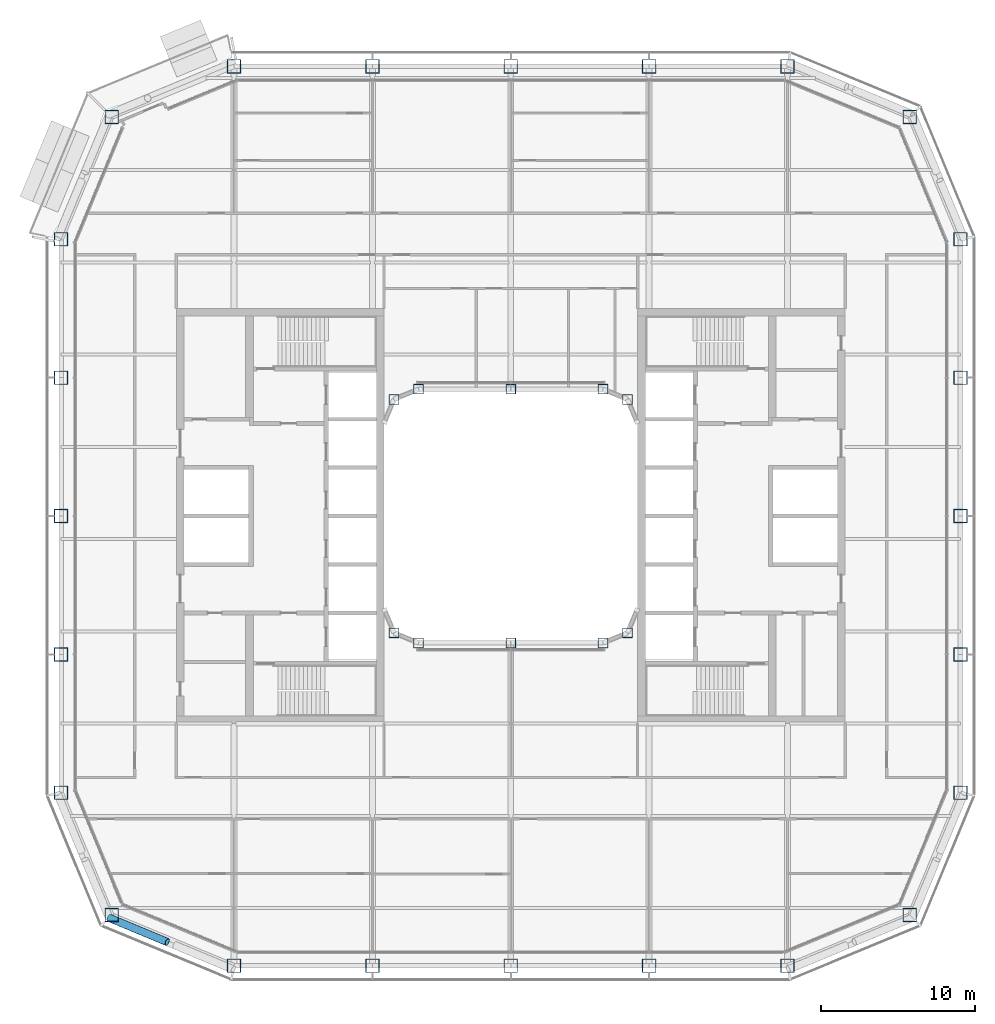
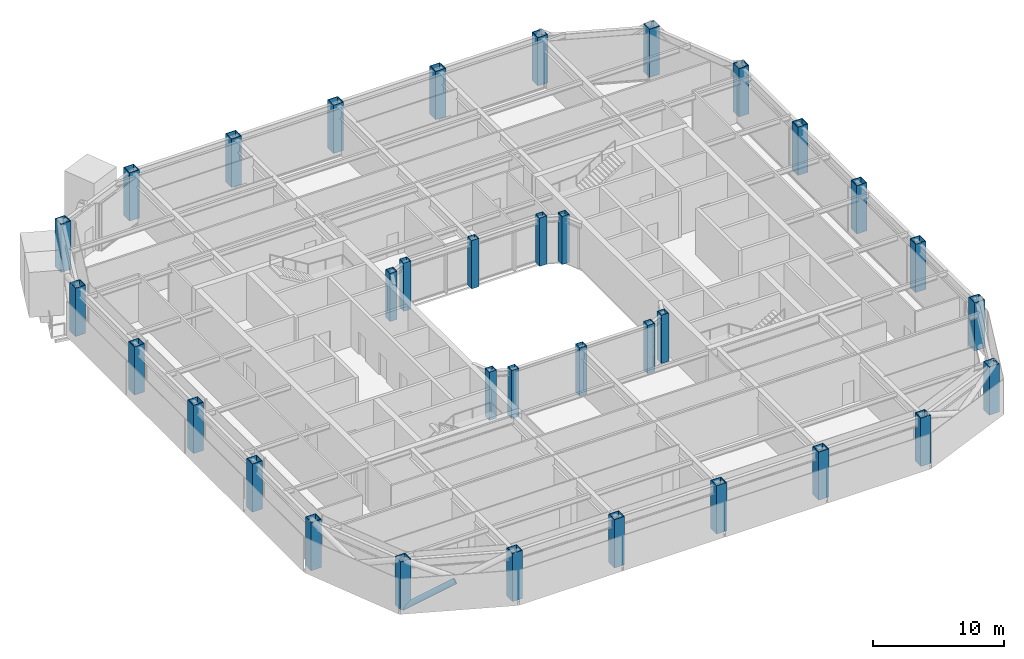
# One storey, part 1 of 23: 34 columns, 1 member.
"""IFC4 building model written with IfcOpenShell, lengths in metres."""

from ifc_helpers import new_model, si_unit, direction, frame, origin, origin_2d, place, context, subcontext, project, spatial, hollow_rectangle, hollow_circle, extrude, material, material_profile, profile_set, type_object, element, save


model = new_model("IFC4")

# Units and contexts
model_context = context("Model", 3, precision=1e-05, world=origin(), true_north=direction((0.0, 1.0)))
body_context = subcontext(model_context, "Body", "Model", "MODEL_VIEW")
ifc_project = project(units=[si_unit("LENGTHUNIT", "METRE"), si_unit("AREAUNIT", "SQUARE_METRE"), si_unit("VOLUMEUNIT", "CUBIC_METRE"), si_unit("PLANEANGLEUNIT", "RADIAN"), si_unit("MASSUNIT", "GRAM", prefix="KILO")], contexts=[model_context])

# Site, building, storey
site_placement = place(None, origin())
site = spatial("IfcSite", under=ifc_project, at=site_placement, CompositionType="ELEMENT")
building_placement = place(site_placement, origin())
building = spatial("IfcBuilding", under=site, at=building_placement, Name="Siwar Civic Tower", CompositionType="ELEMENT")
storey_placement = place(building_placement, frame((0.0, 0.0, 154.199951171875)))
storey = spatial("IfcBuildingStorey", under=building, at=storey_placement, Name="L33", CompositionType="ELEMENT", Elevation=154.199951171875)

# Columns
ifc_material_1 = material(Name="Steel S355", Category="steel")
ifc_material_profile_1 = material_profile(ifc_material_1, hollow_rectangle(XDim=0.89990234375, YDim=0.89990234375, WallThickness=0.050048828125, at=origin_2d()), Name="BOX900x900x50")
ifc_profile_set_1 = profile_set([ifc_material_profile_1], Name="Steel S355")
column_type_1 = type_object("IfcColumnType", Name="STR-COL-BOX900x900x50", PredefinedType="COLUMN", material=ifc_profile_set_1)
for number, where, z_axis, x_axis, name in (
    (1, (-18.0, -29.25, 0.0), (0.0, 0.0, 1.0), (1.0, 0.0, 0.0), "L33/col/S-0"),
    (2, (-9.0, -29.25, 0.0), (0.0, 0.0, 1.0), (1.0, 0.0, 0.0), "L33/col/S-1"),
    (3, (0.0, -29.25, 0.0), (0.0, 0.0, 1.0), (1.0, 0.0, 0.0), "L33/col/S-2"),
    (4, (9.0, -29.25, 0.0), (0.0, 0.0, 1.0), (1.0, 0.0, 0.0), "L33/col/S-3"),
    (5, (18.0, -29.25, 0.0), (0.0, 0.0, 1.0), (1.0, 0.0, 0.0), "L33/col/SE1-0"),
    (6, (25.954833984375, -25.954833984375, 0.0), (0.0, 0.0, 1.0), (1.0, 0.0, 0.0), "L33/col/SE2-0"),
    (7, (29.25, -18.0, 0.0), (0.0, 0.0, 1.0), (1.0, 0.0, 0.0), "L33/col/E-0"),
    (8, (29.25, -9.0, 0.0), (0.0, 0.0, 1.0), (1.0, 0.0, 0.0), "L33/col/E-1"),
    (9, (29.25, 0.0, 0.0), (0.0, 0.0, 1.0), (1.0, 0.0, 0.0), "L33/col/E-2"),
    (10, (29.25, 9.0, 0.0), (0.0, 0.0, 1.0), (1.0, 0.0, 0.0), "L33/col/E-3"),
    (11, (29.25, 18.0, 0.0), (0.0, 0.0, 1.0), (1.0, 0.0, 0.0), "L33/col/NE1-0"),
    (12, (25.954833984375, 25.954833984375, 0.0), (0.0, 0.0, 1.0), (1.0, 0.0, 0.0), "L33/col/NE2-0"),
    (13, (18.0, 29.25, 0.0), (0.0, 0.0, 1.0), (1.0, 0.0, 0.0), "L33/col/N-0"),
    (14, (9.0, 29.25, 0.0), (0.0, 0.0, 1.0), (1.0, 0.0, 0.0), "L33/col/N-1"),
    (15, (0.0, 29.25, 0.0), (0.0, 0.0, 1.0), (1.0, 0.0, 0.0), "L33/col/N-2"),
    (16, (-9.0, 29.25, 0.0), (0.0, 0.0, 1.0), (1.0, 0.0, 0.0), "L33/col/N-3"),
    (17, (-18.0, 29.25, 0.0), (0.0, 0.0, 1.0), (1.0, 0.0, 0.0), "L33/col/NW1-0"),
    (18, (-25.954833984375, 25.954833984375, 0.0), (0.0, 0.0, 1.0), (1.0, 0.0, 0.0), "L33/col/NW2-0"),
    (19, (-29.25, 18.0, 0.0), (0.0, 0.0, 1.0), (1.0, 0.0, 0.0), "L33/col/W-0"),
    (20, (-29.25, 9.0, 0.0), (0.0, 0.0, 1.0), (1.0, 0.0, 0.0), "L33/col/W-1"),
    (21, (-29.25, 0.0, 0.0), (0.0, 0.0, 1.0), (1.0, 0.0, 0.0), "L33/col/W-2"),
    (22, (-29.25, -9.0, 0.0), (0.0, 0.0, 1.0), (1.0, 0.0, 0.0), "L33/col/W-3"),
    (23, (-29.25, -18.0, 0.0), (0.0, 0.0, 1.0), (1.0, 0.0, 0.0), "L33/col/SW1-0"),
    (24, (-25.954833984375, -25.954833984375, 0.0), (0.0, 0.0, 1.0), (1.0, 0.0, 0.0), "L33/col/SW2-0"),
):
    element("IfcColumn", number, at=place(storey_placement, frame(where, z_axis=z_axis, x_axis=x_axis)), inside=storey, type_object=column_type_1, Name=name, PredefinedType="COLUMN", context=body_context, shape_type="SweptSolid", body=[
        extrude(hollow_rectangle(XDim=0.89990234375, YDim=0.89990234375, WallThickness=0.050048828125, at=origin_2d()), origin(), (0.0, 0.0, 1.0), 4.5),
    ])
ifc_material_2 = material(Name="Steel S355", Category="steel")
ifc_material_profile_2 = material_profile(ifc_material_2, hollow_rectangle(XDim=0.64990234375, YDim=0.64990234375, WallThickness=0.035888671875, at=origin_2d()), Name="BOX650x650x36")
ifc_profile_set_2 = profile_set([ifc_material_profile_2], Name="Steel S355")
column_type_2 = type_object("IfcColumnType", Name="STR-ICOL-BOX650x650x36", PredefinedType="COLUMN", material=ifc_profile_set_2)
for number, where, z_axis, x_axis, name in (
    (25, (-7.591064453125, -7.591064453125, 0.0), (0.0, 0.0, 1.0), (1.0, 0.0, 0.0), "L33/col/IS-0"),
    (26, (-6.0, -8.25, 0.0), (0.0, 0.0, 1.0), (1.0, 0.0, 0.0), "L33/col/IS-1"),
    (27, (0.0, -8.25, 0.0), (0.0, 0.0, 1.0), (1.0, 0.0, 0.0), "L33/col/IS-2"),
    (28, (6.0, -8.25, 0.0), (0.0, 0.0, 1.0), (1.0, 0.0, 0.0), "L33/col/IS-3"),
    (29, (7.591064453125, -7.591064453125, 0.0), (0.0, 0.0, 1.0), (1.0, 0.0, 0.0), "L33/col/IS-4"),
    (30, (-7.591064453125, 7.591064453125, 0.0), (0.0, 0.0, 1.0), (1.0, 0.0, 0.0), "L33/col/IN-0"),
    (31, (-6.0, 8.25, 0.0), (0.0, 0.0, 1.0), (1.0, 0.0, 0.0), "L33/col/IN-1"),
    (32, (0.0, 8.25, 0.0), (0.0, 0.0, 1.0), (1.0, 0.0, 0.0), "L33/col/IN-2"),
    (33, (6.0, 8.25, 0.0), (0.0, 0.0, 1.0), (1.0, 0.0, 0.0), "L33/col/IN-3"),
    (34, (7.591064453125, 7.591064453125, 0.0), (0.0, 0.0, 1.0), (1.0, 0.0, 0.0), "L33/col/IN-4"),
):
    element("IfcColumn", number, at=place(storey_placement, frame(where, z_axis=z_axis, x_axis=x_axis)), inside=storey, type_object=column_type_2, Name=name, PredefinedType="COLUMN", context=body_context, shape_type="SweptSolid", body=[
        extrude(hollow_rectangle(XDim=0.64990234375, YDim=0.64990234375, WallThickness=0.035888671875, at=origin_2d()), origin(), (0.0, 0.0, 1.0), 4.5),
    ])

# Member
ifc_material_3 = material(Name="Steel S355", Category="steel")
ifc_material_profile_3 = material_profile(ifc_material_3, hollow_circle(Radius=0.25390625, WallThickness=0.02490234375, at=origin_2d()), Name="CHS508x25")
ifc_profile_set_3 = profile_set([ifc_material_profile_3], Name="Steel S355")
member_type = type_object("IfcMemberType", Name="STR-BR-CHS508x25", PredefinedType="BRACE", material=ifc_profile_set_3)
member_placement = place(storey_placement, frame((-26.1318359375, -26.1318359375, 0.0), z_axis=(0.821143275065, -0.341662474736, 0.457154760636), x_axis=(0.384154943021, 0.923268638995, 0.0)))
element("IfcMember", 35, at=member_placement, inside=storey, type_object=member_type, Name="L33/brc/BSW1-12-0-2", PredefinedType="BRACE", context=body_context, shape_type="SweptSolid", body=[
    extrude(hollow_circle(Radius=0.25390625, WallThickness=0.02490234375, at=origin_2d()), origin(), (0.0, 0.0, 1.0), 4.61474609375),
])

save(model, "model.ifc")
